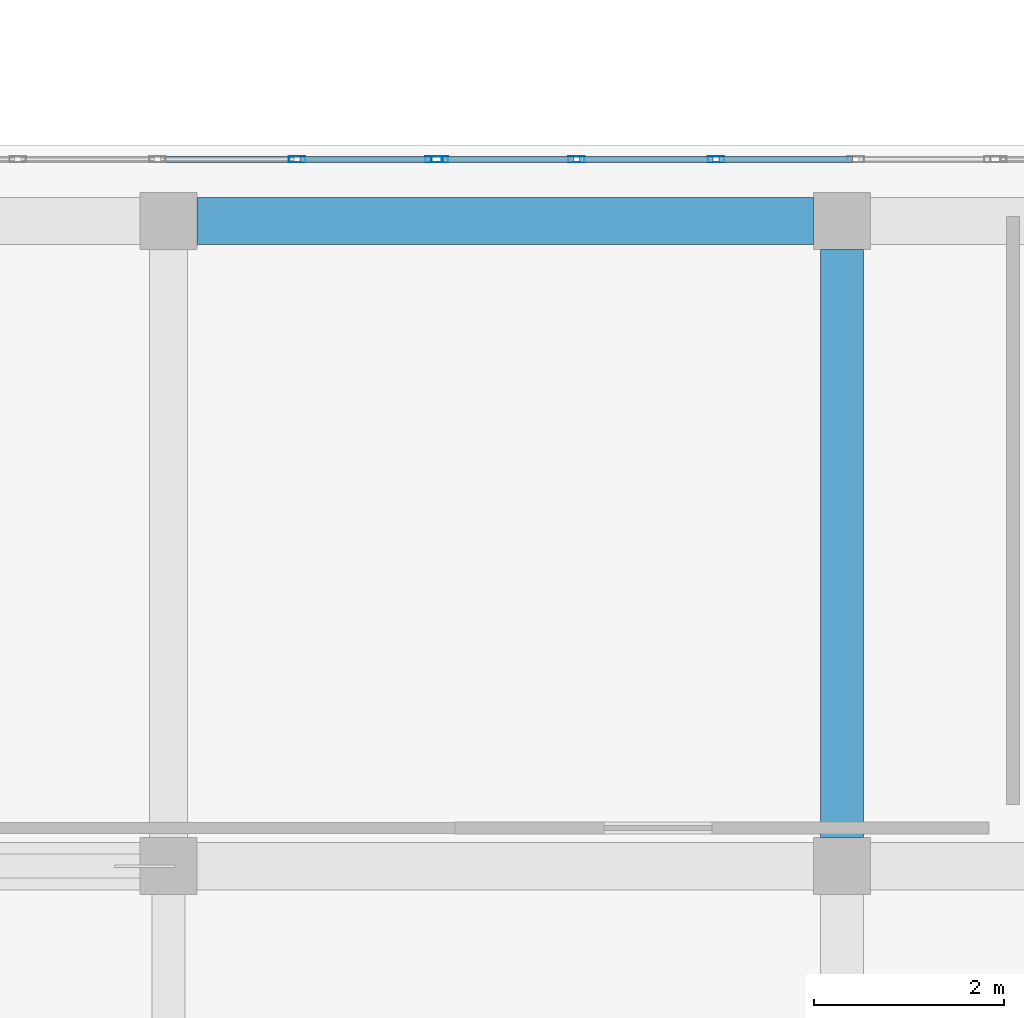
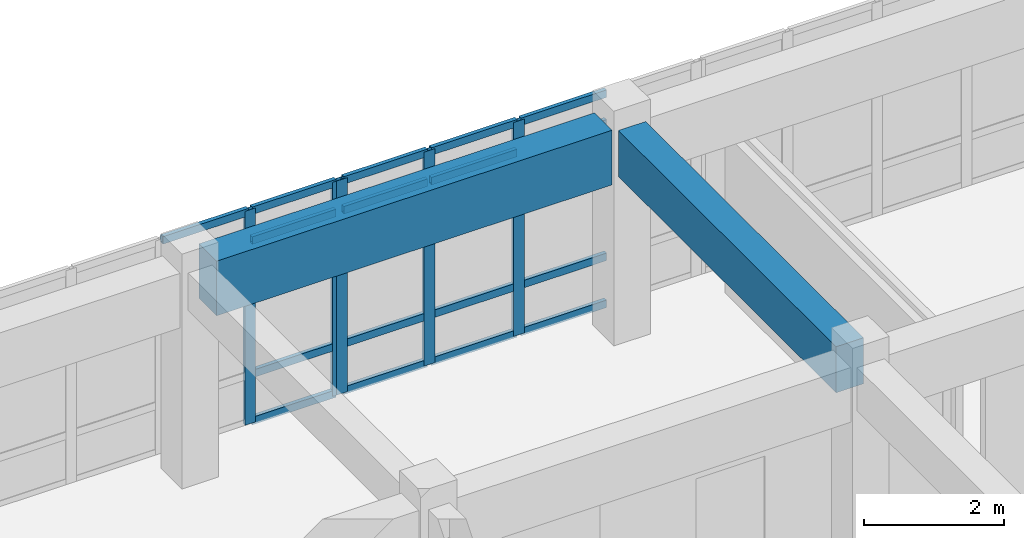
# One storey, part 21 of 91: 22 members, 2 beams, 2 elements without a shape of their own.
"""IFC4 building model written with IfcOpenShell, lengths in metres."""

from ifc_helpers import new_model, si_unit, direction, frame, origin, origin_2d, place, context, subcontext, project, spatial, rectangle, hollow_rectangle, extrude, material, layer, layer_set, material_profile, profile_set, type_object, element, aggregate, save


model = new_model("IFC4")

# Units and contexts
model_context = context("Model", 3, precision=1e-05, world=origin(), true_north=direction((0.0, 1.0)))
body_context = subcontext(model_context, "Body", "Model", "MODEL_VIEW")
ifc_project = project(units=[si_unit("LENGTHUNIT", "METRE"), si_unit("AREAUNIT", "SQUARE_METRE"), si_unit("VOLUMEUNIT", "CUBIC_METRE"), si_unit("PLANEANGLEUNIT", "RADIAN"), si_unit("MASSUNIT", "GRAM", prefix="KILO")], contexts=[model_context])

# Site, building, storey
site_placement = place(None, origin())
site = spatial("IfcSite", under=ifc_project, at=site_placement, CompositionType="ELEMENT")
building_placement = place(site_placement, origin())
building = spatial("IfcBuilding", under=site, at=building_placement, Name="Valcora Specialist Clinic", CompositionType="ELEMENT")
storey_placement = place(building_placement, frame((0.0, 0.0, 13.60009765625)))
storey = spatial("IfcBuildingStorey", under=building, at=storey_placement, Name="L03", CompositionType="ELEMENT", Elevation=13.60009765625)

# Beams
ifc_material_1 = material(Name="Concrete C40/50", Category="concrete")
ifc_material_profile_1 = material_profile(ifc_material_1, rectangle(XDim=0.449951171875, YDim=0.800048828125, at=origin_2d()), Name="RC-BM-450X800")
ifc_profile_set_1 = profile_set([ifc_material_profile_1], Name="Concrete C40/50")
beam_type_1 = type_object("IfcBeamType", Name="TY-BM-RC450X800", PredefinedType="BEAM", material=ifc_profile_set_1)
beam_1_placement = place(storey_placement, frame((16.199951171875, 15.5, 3.31982421875), z_axis=(0.0, 1.0, 0.0), x_axis=(-1.0, 0.0, 0.0)))
element("IfcBeam", 1, at=beam_1_placement, inside=storey, type_object=beam_type_1, Name="Beam BM-L03-1060", PredefinedType="BEAM", context=body_context, shape_type="SweptSolid", body=[
    extrude(rectangle(XDim=0.449951171875, YDim=0.800048828125, at=origin_2d()), origin(), (0.0, 0.0, 1.0), 6.199951171875),
])
ifc_material_profile_2 = material_profile(ifc_material_1, rectangle(XDim=0.5, YDim=0.949951171875, at=origin_2d()), Name="RC-BM-500X950")
ifc_profile_set_2 = profile_set([ifc_material_profile_2], Name="Concrete C40/50")
beam_type_2 = type_object("IfcBeamType", Name="TY-BM-TR500X950", PredefinedType="BEAM", material=ifc_profile_set_2)
beam_2_placement = place(storey_placement, frame((9.39990234375, 22.0, 3.244873046875), z_axis=(1.0, 0.0, 0.0), x_axis=(0.0, 1.0, 0.0)))
element("IfcBeam", 2, at=beam_2_placement, inside=storey, type_object=beam_type_2, Name="Beam BM-L03-1048", PredefinedType="BEAM", context=body_context, shape_type="SweptSolid", body=[
    extrude(rectangle(XDim=0.5, YDim=0.949951171875, at=origin_2d()), origin(), (0.0, 0.0, 1.0), 6.5),
])

# Curtain wall, members
ifc_material_2 = material(Name="Anodized Bronze Aluminium 6063-T6", Category="aluminium")
ifc_layer = layer(ifc_material_2, 0.175048828125)
ifc_layer_set = layer_set([ifc_layer], Name="Anodized Bronze Aluminium 6063-T6")
curtain_wall_type = type_object("IfcCurtainWallType", Name="TY-CW-V5F15", PredefinedType="NOTDEFINED", material=ifc_layer_set)
curtain_wall_1_placement = place(storey_placement, origin())
curtain_wall_1 = element("IfcCurtainWall", 3, at=curtain_wall_1_placement, inside=storey, type_object=curtain_wall_type, Name="Curtain wall CW-L03-156", PredefinedType="NOTDEFINED")
ifc_material_profile_3 = material_profile(ifc_material_2, hollow_rectangle(XDim=0.06494140625, YDim=0.175048828125, WallThickness=0.00390625, at=origin_2d()), Name="AL-MUL-65X175")
ifc_profile_set_3 = profile_set([ifc_material_profile_3], Name="Anodized Bronze Aluminium 6063-T6")
member_type_1 = type_object("IfcMemberType", Name="TY-CWM-65X175", PredefinedType="MULLION", material=ifc_profile_set_3)
member_1_placement = place(storey_placement, frame((10.45556640625, 22.64990234375, 0.0), z_axis=(0.0, 0.0, 1.0), x_axis=(0.0, 1.0, 0.0)))
member_1 = element("IfcMember", 4, at=member_1_placement, type_object=member_type_1, Name="CW-V5F-15 mullion 4", PredefinedType="MULLION", context=body_context, shape_type="SweptSolid", body=[
    extrude(hollow_rectangle(XDim=0.06494140625, YDim=0.175048828125, WallThickness=0.00390625, at=origin_2d()), origin(), (0.0, 0.0, 1.0), 3.719970703125),
])
member_2_placement = place(storey_placement, frame((11.895263671875, 22.64990234375, 0.0), z_axis=(0.0, 0.0, 1.0), x_axis=(0.0, 1.0, 0.0)))
member_2 = element("IfcMember", 5, at=member_2_placement, type_object=member_type_1, Name="CW-V5F-15 mullion 5", PredefinedType="MULLION", context=body_context, shape_type="SweptSolid", body=[
    extrude(hollow_rectangle(XDim=0.06494140625, YDim=0.175048828125, WallThickness=0.00390625, at=origin_2d()), origin(), (0.0, 0.0, 1.0), 3.719970703125),
])

curtain_wall_2_placement = place(storey_placement, origin())
curtain_wall_2 = element("IfcCurtainWall", 6, at=curtain_wall_2_placement, inside=storey, type_object=curtain_wall_type, Name="Curtain wall CW-L03-157", PredefinedType="NOTDEFINED")
member_3_placement = place(storey_placement, frame((11.960205078125, 22.64990234375, 0.0), z_axis=(0.0, 0.0, 1.0), x_axis=(0.0, 1.0, 0.0)))
member_3 = element("IfcMember", 7, at=member_3_placement, type_object=member_type_1, Name="CW-V5F-15 mullion 1", PredefinedType="MULLION", context=body_context, shape_type="SweptSolid", body=[
    extrude(hollow_rectangle(XDim=0.06494140625, YDim=0.175048828125, WallThickness=0.00390625, at=origin_2d()), origin(), (0.0, 0.0, 1.0), 3.719970703125),
])
member_4_placement = place(storey_placement, frame((13.400146484375, 22.64990234375, 0.0), z_axis=(0.0, 0.0, 1.0), x_axis=(0.0, 1.0, 0.0)))
member_4 = element("IfcMember", 8, at=member_4_placement, type_object=member_type_1, Name="CW-V5F-15 mullion 2", PredefinedType="MULLION", context=body_context, shape_type="SweptSolid", body=[
    extrude(hollow_rectangle(XDim=0.06494140625, YDim=0.175048828125, WallThickness=0.00390625, at=origin_2d()), origin(), (0.0, 0.0, 1.0), 3.719970703125),
])
member_5_placement = place(storey_placement, frame((14.872314453125, 22.64990234375, 0.0), z_axis=(0.0, 0.0, 1.0), x_axis=(0.0, 1.0, 0.0)))
member_5 = element("IfcMember", 9, at=member_5_placement, type_object=member_type_1, Name="CW-V5F-15 mullion 3", PredefinedType="MULLION", context=body_context, shape_type="SweptSolid", body=[
    extrude(hollow_rectangle(XDim=0.06494140625, YDim=0.175048828125, WallThickness=0.00390625, at=origin_2d()), origin(), (0.0, 0.0, 1.0), 3.719970703125),
])

# Member
ifc_material_profile_4 = material_profile(ifc_material_2, hollow_rectangle(XDim=0.06494140625, YDim=0.1298828125, WallThickness=0.00390625, at=origin_2d()), Name="AL-TRN-65X130")
ifc_profile_set_4 = profile_set([ifc_material_profile_4], Name="Anodized Bronze Aluminium 6063-T6")
member_type_2 = type_object("IfcMemberType", Name="TY-CWT-65X130", PredefinedType="USERDEFINED", material=ifc_profile_set_4)
member_6_placement = place(storey_placement, frame((9.015869140625, 22.64990234375, 3.6875), z_axis=(1.0, 0.0, 0.0), x_axis=(0.0, 1.0, 0.0)))
member_6 = element("IfcMember", 10, at=member_6_placement, type_object=member_type_2, Name="CW-V5F-15 transom 3.4", ObjectType="TRANSOM", PredefinedType="USERDEFINED", context=body_context, shape_type="SweptSolid", body=[
    extrude(hollow_rectangle(XDim=0.06494140625, YDim=0.1298828125, WallThickness=0.00390625, at=origin_2d()), origin(), (0.0, 0.0, 1.0), 1.4072265625),
])

member_7_placement = place(storey_placement, frame((10.488037109375, 22.64990234375, 0.032470703125), z_axis=(1.0, 0.0, 0.0), x_axis=(0.0, 1.0, 0.0)))
member_7 = element("IfcMember", 11, at=member_7_placement, type_object=member_type_2, Name="CW-V5F-15 transom 4.1", ObjectType="TRANSOM", PredefinedType="USERDEFINED", context=body_context, shape_type="SweptSolid", body=[
    extrude(hollow_rectangle(XDim=0.06494140625, YDim=0.1298828125, WallThickness=0.00390625, at=origin_2d()), origin(), (0.0, 0.0, 1.0), 1.374755859375),
])

member_8_placement = place(storey_placement, frame((10.488037109375, 22.64990234375, 0.849853515625), z_axis=(1.0, 0.0, 0.0), x_axis=(0.0, 1.0, 0.0)))
member_8 = element("IfcMember", 12, at=member_8_placement, type_object=member_type_2, Name="CW-V5F-15 transom 4.2", ObjectType="TRANSOM", PredefinedType="USERDEFINED", context=body_context, shape_type="SweptSolid", body=[
    extrude(hollow_rectangle(XDim=0.06494140625, YDim=0.1298828125, WallThickness=0.00390625, at=origin_2d()), origin(), (0.0, 0.0, 1.0), 1.374755859375),
])

member_9_placement = place(storey_placement, frame((10.488037109375, 22.64990234375, 3.169921875), z_axis=(1.0, 0.0, 0.0), x_axis=(0.0, 1.0, 0.0)))
member_9 = element("IfcMember", 13, at=member_9_placement, type_object=member_type_2, Name="CW-V5F-15 transom 4.3", ObjectType="TRANSOM", PredefinedType="USERDEFINED", context=body_context, shape_type="SweptSolid", body=[
    extrude(hollow_rectangle(XDim=0.06494140625, YDim=0.1298828125, WallThickness=0.00390625, at=origin_2d()), origin(), (0.0, 0.0, 1.0), 1.374755859375),
])

member_10_placement = place(storey_placement, frame((10.488037109375, 22.64990234375, 3.6875), z_axis=(1.0, 0.0, 0.0), x_axis=(0.0, 1.0, 0.0)))
member_10 = element("IfcMember", 14, at=member_10_placement, type_object=member_type_2, Name="CW-V5F-15 transom 4.4", ObjectType="TRANSOM", PredefinedType="USERDEFINED", context=body_context, shape_type="SweptSolid", body=[
    extrude(hollow_rectangle(XDim=0.06494140625, YDim=0.1298828125, WallThickness=0.00390625, at=origin_2d()), origin(), (0.0, 0.0, 1.0), 1.374755859375),
])

aggregate(curtain_wall_1, [member_1, member_2, member_6, member_7, member_8, member_9, member_10])

member_11_placement = place(storey_placement, frame((11.992919921875, 22.64990234375, 0.032470703125), z_axis=(1.0, 0.0, 0.0), x_axis=(0.0, 1.0, 0.0)))
member_11 = element("IfcMember", 15, at=member_11_placement, type_object=member_type_2, Name="CW-V5F-15 transom 1.1", ObjectType="TRANSOM", PredefinedType="USERDEFINED", context=body_context, shape_type="SweptSolid", body=[
    extrude(hollow_rectangle(XDim=0.06494140625, YDim=0.1298828125, WallThickness=0.00390625, at=origin_2d()), origin(), (0.0, 0.0, 1.0), 1.37451171875),
])

member_12_placement = place(storey_placement, frame((11.992919921875, 22.64990234375, 0.849853515625), z_axis=(1.0, 0.0, 0.0), x_axis=(0.0, 1.0, 0.0)))
member_12 = element("IfcMember", 16, at=member_12_placement, type_object=member_type_2, Name="CW-V5F-15 transom 1.2", ObjectType="TRANSOM", PredefinedType="USERDEFINED", context=body_context, shape_type="SweptSolid", body=[
    extrude(hollow_rectangle(XDim=0.06494140625, YDim=0.1298828125, WallThickness=0.00390625, at=origin_2d()), origin(), (0.0, 0.0, 1.0), 1.37451171875),
])

member_13_placement = place(storey_placement, frame((11.992919921875, 22.64990234375, 3.169921875), z_axis=(1.0, 0.0, 0.0), x_axis=(0.0, 1.0, 0.0)))
member_13 = element("IfcMember", 17, at=member_13_placement, type_object=member_type_2, Name="CW-V5F-15 transom 1.3", ObjectType="TRANSOM", PredefinedType="USERDEFINED", context=body_context, shape_type="SweptSolid", body=[
    extrude(hollow_rectangle(XDim=0.06494140625, YDim=0.1298828125, WallThickness=0.00390625, at=origin_2d()), origin(), (0.0, 0.0, 1.0), 1.37451171875),
])

member_14_placement = place(storey_placement, frame((11.992919921875, 22.64990234375, 3.6875), z_axis=(1.0, 0.0, 0.0), x_axis=(0.0, 1.0, 0.0)))
member_14 = element("IfcMember", 18, at=member_14_placement, type_object=member_type_2, Name="CW-V5F-15 transom 1.4", ObjectType="TRANSOM", PredefinedType="USERDEFINED", context=body_context, shape_type="SweptSolid", body=[
    extrude(hollow_rectangle(XDim=0.06494140625, YDim=0.1298828125, WallThickness=0.00390625, at=origin_2d()), origin(), (0.0, 0.0, 1.0), 1.37451171875),
])

member_15_placement = place(storey_placement, frame((13.4326171875, 22.64990234375, 0.032470703125), z_axis=(1.0, 0.0, 0.0), x_axis=(0.0, 1.0, 0.0)))
member_15 = element("IfcMember", 19, at=member_15_placement, type_object=member_type_2, Name="CW-V5F-15 transom 2.1", ObjectType="TRANSOM", PredefinedType="USERDEFINED", context=body_context, shape_type="SweptSolid", body=[
    extrude(hollow_rectangle(XDim=0.06494140625, YDim=0.1298828125, WallThickness=0.00390625, at=origin_2d()), origin(), (0.0, 0.0, 1.0), 1.4072265625),
])

member_16_placement = place(storey_placement, frame((13.4326171875, 22.64990234375, 0.849853515625), z_axis=(1.0, 0.0, 0.0), x_axis=(0.0, 1.0, 0.0)))
member_16 = element("IfcMember", 20, at=member_16_placement, type_object=member_type_2, Name="CW-V5F-15 transom 2.2", ObjectType="TRANSOM", PredefinedType="USERDEFINED", context=body_context, shape_type="SweptSolid", body=[
    extrude(hollow_rectangle(XDim=0.06494140625, YDim=0.1298828125, WallThickness=0.00390625, at=origin_2d()), origin(), (0.0, 0.0, 1.0), 1.4072265625),
])

member_17_placement = place(storey_placement, frame((13.4326171875, 22.64990234375, 3.169921875), z_axis=(1.0, 0.0, 0.0), x_axis=(0.0, 1.0, 0.0)))
member_17 = element("IfcMember", 21, at=member_17_placement, type_object=member_type_2, Name="CW-V5F-15 transom 2.3", ObjectType="TRANSOM", PredefinedType="USERDEFINED", context=body_context, shape_type="SweptSolid", body=[
    extrude(hollow_rectangle(XDim=0.06494140625, YDim=0.1298828125, WallThickness=0.00390625, at=origin_2d()), origin(), (0.0, 0.0, 1.0), 1.4072265625),
])

member_18_placement = place(storey_placement, frame((13.4326171875, 22.64990234375, 3.6875), z_axis=(1.0, 0.0, 0.0), x_axis=(0.0, 1.0, 0.0)))
member_18 = element("IfcMember", 22, at=member_18_placement, type_object=member_type_2, Name="CW-V5F-15 transom 2.4", ObjectType="TRANSOM", PredefinedType="USERDEFINED", context=body_context, shape_type="SweptSolid", body=[
    extrude(hollow_rectangle(XDim=0.06494140625, YDim=0.1298828125, WallThickness=0.00390625, at=origin_2d()), origin(), (0.0, 0.0, 1.0), 1.4072265625),
])

member_19_placement = place(storey_placement, frame((14.90478515625, 22.64990234375, 0.032470703125), z_axis=(1.0, 0.0, 0.0), x_axis=(0.0, 1.0, 0.0)))
member_19 = element("IfcMember", 23, at=member_19_placement, type_object=member_type_2, Name="CW-V5F-15 transom 3.1", ObjectType="TRANSOM", PredefinedType="USERDEFINED", context=body_context, shape_type="SweptSolid", body=[
    extrude(hollow_rectangle(XDim=0.06494140625, YDim=0.1298828125, WallThickness=0.00390625, at=origin_2d()), origin(), (0.0, 0.0, 1.0), 1.4072265625),
])

member_20_placement = place(storey_placement, frame((14.90478515625, 22.64990234375, 0.849853515625), z_axis=(1.0, 0.0, 0.0), x_axis=(0.0, 1.0, 0.0)))
member_20 = element("IfcMember", 24, at=member_20_placement, type_object=member_type_2, Name="CW-V5F-15 transom 3.2", ObjectType="TRANSOM", PredefinedType="USERDEFINED", context=body_context, shape_type="SweptSolid", body=[
    extrude(hollow_rectangle(XDim=0.06494140625, YDim=0.1298828125, WallThickness=0.00390625, at=origin_2d()), origin(), (0.0, 0.0, 1.0), 1.4072265625),
])

member_21_placement = place(storey_placement, frame((14.90478515625, 22.64990234375, 3.169921875), z_axis=(1.0, 0.0, 0.0), x_axis=(0.0, 1.0, 0.0)))
member_21 = element("IfcMember", 25, at=member_21_placement, type_object=member_type_2, Name="CW-V5F-15 transom 3.3", ObjectType="TRANSOM", PredefinedType="USERDEFINED", context=body_context, shape_type="SweptSolid", body=[
    extrude(hollow_rectangle(XDim=0.06494140625, YDim=0.1298828125, WallThickness=0.00390625, at=origin_2d()), origin(), (0.0, 0.0, 1.0), 1.4072265625),
])

member_22_placement = place(storey_placement, frame((14.90478515625, 22.64990234375, 3.6875), z_axis=(1.0, 0.0, 0.0), x_axis=(0.0, 1.0, 0.0)))
member_22 = element("IfcMember", 26, at=member_22_placement, type_object=member_type_2, Name="CW-V5F-15 transom 3.4", ObjectType="TRANSOM", PredefinedType="USERDEFINED", context=body_context, shape_type="SweptSolid", body=[
    extrude(hollow_rectangle(XDim=0.06494140625, YDim=0.1298828125, WallThickness=0.00390625, at=origin_2d()), origin(), (0.0, 0.0, 1.0), 1.4072265625),
])

aggregate(curtain_wall_2, [member_3, member_4, member_5, member_11, member_12, member_13, member_14, member_15, member_16, member_17, member_18, member_19, member_20, member_21, member_22])

save(model, "model.ifc")
